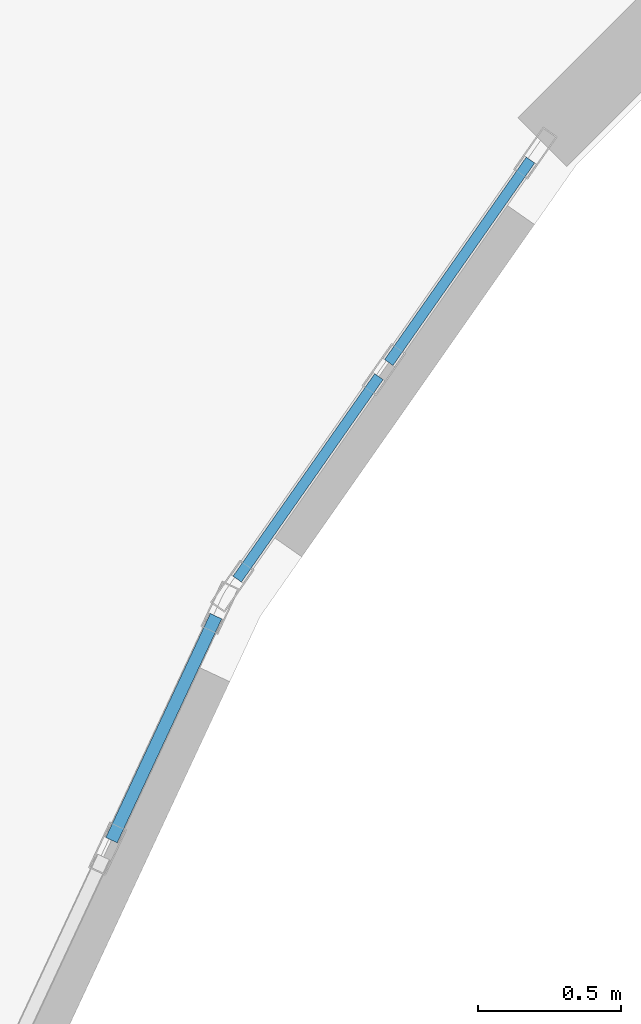
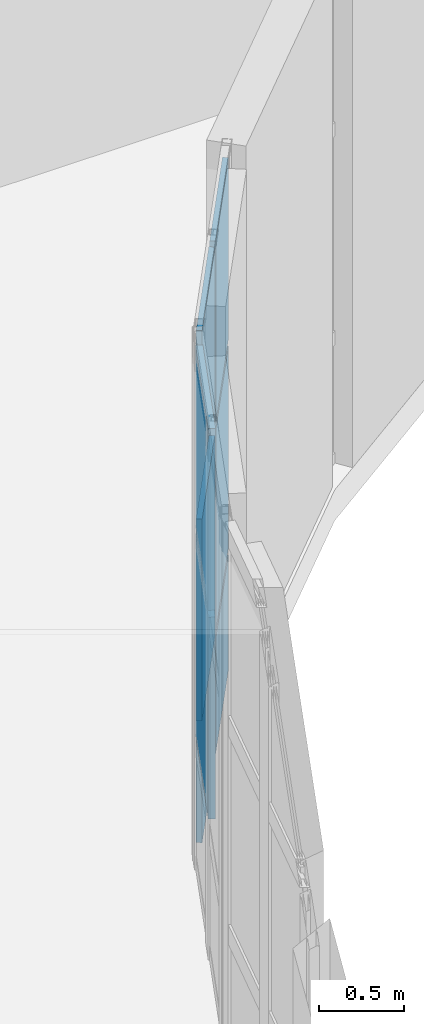
# One storey, part 63 of 105: 8 plates, 2 elements without a shape of their own.
"""IFC4 building model written with IfcOpenShell, lengths in metres."""

from ifc_helpers import new_model, si_unit, direction, frame, origin, origin_2d, place, context, subcontext, project, spatial, rectangle, extrude, material, layer, layer_set, type_object, element, aggregate, save


model = new_model("IFC4")

# Units and contexts
model_context = context("Model", 3, precision=1e-05, world=origin(), true_north=direction((0.0, 1.0)))
body_context = subcontext(model_context, "Body", "Model", "MODEL_VIEW")
ifc_project = project(units=[si_unit("LENGTHUNIT", "METRE"), si_unit("AREAUNIT", "SQUARE_METRE"), si_unit("VOLUMEUNIT", "CUBIC_METRE"), si_unit("PLANEANGLEUNIT", "RADIAN"), si_unit("MASSUNIT", "GRAM", prefix="KILO")], contexts=[model_context])

# Site, building, storey
site_placement = place(None, origin())
site = spatial("IfcSite", under=ifc_project, at=site_placement, CompositionType="ELEMENT")
building_placement = place(site_placement, origin())
building = spatial("IfcBuilding", under=site, at=building_placement, Name="Kelanivale Promenade Academy", CompositionType="ELEMENT")
storey_placement = place(building_placement, frame((0.0, 0.0, 4.199951171875)))
storey = spatial("IfcBuildingStorey", under=building, at=storey_placement, Name="L01", CompositionType="ELEMENT", Elevation=4.199951171875)

# Curtain wall, plates
ifc_material_1 = material(Name="Bronze anodised aluminium and solar-control low-E glass", Category="aluminium")
ifc_layer_1 = layer(ifc_material_1, 0.179931640625)
ifc_layer_set_1 = layer_set([ifc_layer_1], Name="Bronze anodised aluminium and solar-control low-E glass")
curtain_wall_type_1 = type_object("IfcCurtainWallType", Name="CW-14 Curtain Wall 1500mm Module", PredefinedType="USERDEFINED", material=ifc_layer_set_1)
curtain_wall_1_placement = place(storey_placement, origin())
curtain_wall_1 = element("IfcCurtainWall", 1, at=curtain_wall_1_placement, inside=storey, type_object=curtain_wall_type_1, Name="L01 courtyard curtain wall CW-14", ObjectType="COURTYARD SCREEN GLAZING", PredefinedType="USERDEFINED")
ifc_material_2 = material(Name="Acoustic laminated double glazing 36 mm", Category="glass")
ifc_layer_2 = layer(ifc_material_2, 0.035888671875)
ifc_layer_set_2 = layer_set([ifc_layer_2], Name="Acoustic laminated double glazing 36 mm")
plate_type_1 = type_object("IfcPlateType", Name="CWP-02 Plate 36mm", PredefinedType="CURTAIN_PANEL", material=ifc_layer_set_2)
plate_1_placement = place(storey_placement, frame((54.568603515625, 63.536865234375, 0.05029296875), z_axis=(0.0, 0.0, 1.0), x_axis=(-0.573356527561, -0.819305982099, 0.0)))
plate_1 = element("IfcPlate", 2, at=plate_1_placement, type_object=plate_type_1, Name="CW-14 panel 1.1", PredefinedType="CURTAIN_PANEL", context=body_context, shape_type="SweptSolid", body=[
    extrude(rectangle(XDim=0.861328125, YDim=0.035888671875, at=origin_2d()), origin(), (0.0, 0.0, 1.0), 0.824951171875),
])
plate_2_placement = place(storey_placement, frame((54.568603515625, 63.536865234375, 0.92529296875), z_axis=(0.0, 0.0, 1.0), x_axis=(-0.573356527561, -0.819305982099, 0.0)))
plate_2 = element("IfcPlate", 3, at=plate_2_placement, type_object=plate_type_1, Name="CW-14 panel 1.2", PredefinedType="CURTAIN_PANEL", context=body_context, shape_type="SweptSolid", body=[
    extrude(rectangle(XDim=0.861328125, YDim=0.035888671875, at=origin_2d()), origin(), (0.0, 0.0, 1.0), 1.449951171875),
])
plate_3_placement = place(storey_placement, frame((54.568603515625, 63.536865234375, 2.42529296875), z_axis=(0.0, 0.0, 1.0), x_axis=(-0.573356527561, -0.819305982099, 0.0)))
plate_3 = element("IfcPlate", 4, at=plate_3_placement, type_object=plate_type_1, Name="CW-14 panel 1.3", PredefinedType="CURTAIN_PANEL", context=body_context, shape_type="SweptSolid", body=[
    extrude(rectangle(XDim=0.861328125, YDim=0.035888671875, at=origin_2d()), origin(), (0.0, 0.0, 1.0), 1.304931640625),
])
plate_4_placement = place(storey_placement, frame((54.040283203125, 62.781982421875, 0.05029296875), z_axis=(0.0, 0.0, 1.0), x_axis=(-0.573356527561, -0.819305982099, 0.0)))
plate_4 = element("IfcPlate", 5, at=plate_4_placement, type_object=plate_type_1, Name="CW-14 panel 2.1", PredefinedType="CURTAIN_PANEL", context=body_context, shape_type="SweptSolid", body=[
    extrude(rectangle(XDim=0.861328125, YDim=0.035888671875, at=origin_2d()), origin(), (0.0, 0.0, 1.0), 0.824951171875),
])
plate_5_placement = place(storey_placement, frame((54.040283203125, 62.781982421875, 0.92529296875), z_axis=(0.0, 0.0, 1.0), x_axis=(-0.573356527561, -0.819305982099, 0.0)))
plate_5 = element("IfcPlate", 6, at=plate_5_placement, type_object=plate_type_1, Name="CW-14 panel 2.2", PredefinedType="CURTAIN_PANEL", context=body_context, shape_type="SweptSolid", body=[
    extrude(rectangle(XDim=0.861328125, YDim=0.035888671875, at=origin_2d()), origin(), (0.0, 0.0, 1.0), 1.449951171875),
])
plate_6_placement = place(storey_placement, frame((54.040283203125, 62.781982421875, 2.42529296875), z_axis=(0.0, 0.0, 1.0), x_axis=(-0.573356527561, -0.819305982099, 0.0)))
plate_6 = element("IfcPlate", 7, at=plate_6_placement, type_object=plate_type_1, Name="CW-14 panel 2.3", PredefinedType="CURTAIN_PANEL", context=body_context, shape_type="SweptSolid", body=[
    extrude(rectangle(XDim=0.861328125, YDim=0.035888671875, at=origin_2d()), origin(), (0.0, 0.0, 1.0), 1.304931640625),
])
aggregate(curtain_wall_1, [plate_1, plate_2, plate_3, plate_4, plate_5, plate_6])

ifc_layer_3 = layer(ifc_material_1, 0.159912109375)
ifc_layer_set_3 = layer_set([ifc_layer_3], Name="Bronze anodised aluminium and solar-control low-E glass")
curtain_wall_type_2 = type_object("IfcCurtainWallType", Name="CW-15 Curtain Wall 1650mm Module", PredefinedType="USERDEFINED", material=ifc_layer_set_3)
curtain_wall_2_placement = place(storey_placement, origin())
curtain_wall_2 = element("IfcCurtainWall", 8, at=curtain_wall_2_placement, inside=storey, type_object=curtain_wall_type_2, Name="L01 courtyard curtain wall CW-15", ObjectType="COURTYARD SCREEN GLAZING", PredefinedType="USERDEFINED")
ifc_material_3 = material(Name="Insulated bronze aluminium spandrel panel 44 mm", Category="aluminium")
ifc_layer_4 = layer(ifc_material_3, 0.0439453125)
ifc_layer_set_4 = layer_set([ifc_layer_4], Name="Insulated bronze aluminium spandrel panel 44 mm")
plate_type_2 = type_object("IfcPlateType", Name="CWP-03 Plate 44mm", PredefinedType="CURTAIN_PANEL", material=ifc_layer_set_4)
plate_7_placement = place(storey_placement, frame((53.537353515625, 61.90966796875, 0.92529296875), z_axis=(0.0, 0.0, 1.0), x_axis=(-0.422856921222, -0.906196460032, 0.0)))
plate_7 = element("IfcPlate", 9, at=plate_7_placement, type_object=plate_type_2, Name="CW-15 panel 1.2", PredefinedType="CURTAIN_PANEL", context=body_context, shape_type="SweptSolid", body=[
    extrude(rectangle(XDim=0.861572265625, YDim=0.0439453125, at=origin_2d()), origin(), (0.0, 0.0, 1.0), 1.449951171875),
])
plate_8_placement = place(storey_placement, frame((53.537353515625, 61.90966796875, 2.42529296875), z_axis=(0.0, 0.0, 1.0), x_axis=(-0.422856921222, -0.906196460032, 0.0)))
plate_8 = element("IfcPlate", 10, at=plate_8_placement, type_object=plate_type_2, Name="CW-15 panel 1.3", PredefinedType="CURTAIN_PANEL", context=body_context, shape_type="SweptSolid", body=[
    extrude(rectangle(XDim=0.861572265625, YDim=0.0439453125, at=origin_2d()), origin(), (0.0, 0.0, 1.0), 1.304931640625),
])
aggregate(curtain_wall_2, [plate_7, plate_8])

save(model, "model.ifc")
